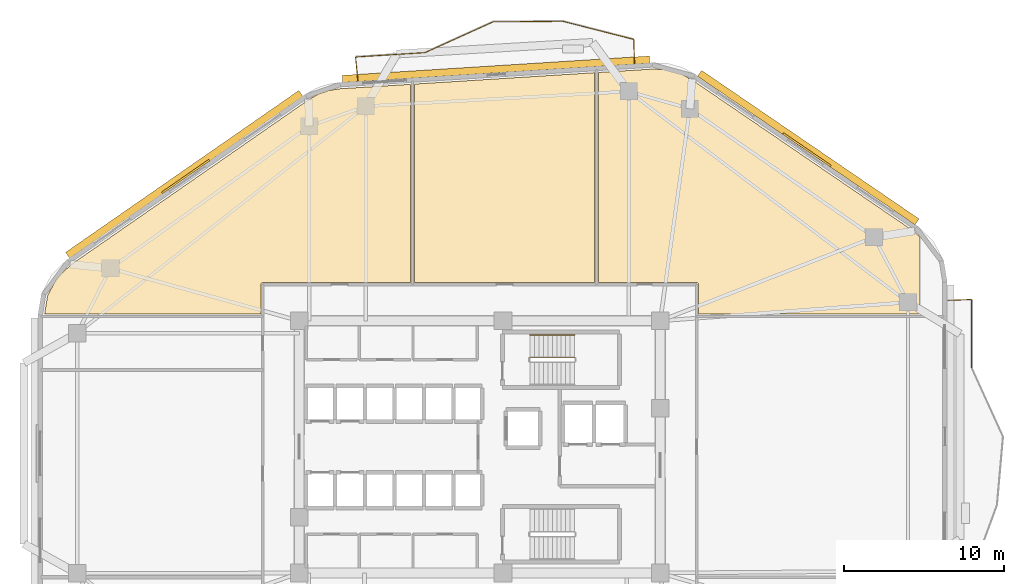
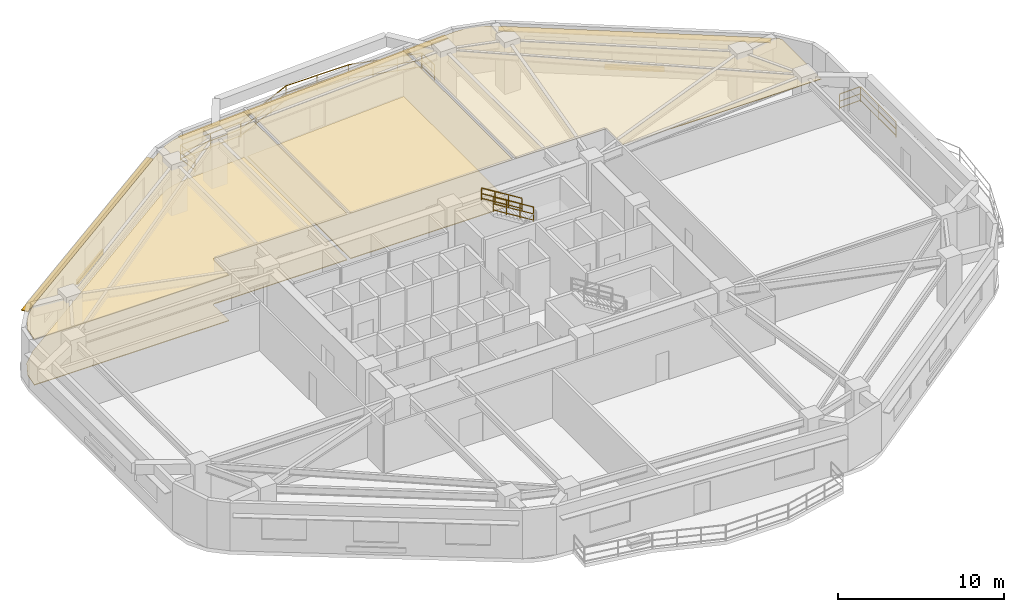
# One storey, part 9 of 9: 10 railings, 5 coverings, 5 shading devices.
"""IFC4 building model written with IfcOpenShell, lengths in metres."""

from ifc_helpers import new_model, si_unit, direction, frame, origin, origin_2d, place, context, subcontext, project, spatial, polyline, rectangle, outline, extrude, material, layer, layer_set, type_object, element, save


model = new_model("IFC4")

# Units and contexts
model_context = context("Model", 3, precision=1e-05, world=origin(), true_north=direction((0.0, 1.0)))
body_context = subcontext(model_context, "Body", "Model", "MODEL_VIEW")
ifc_project = project(units=[si_unit("LENGTHUNIT", "METRE"), si_unit("AREAUNIT", "SQUARE_METRE"), si_unit("VOLUMEUNIT", "CUBIC_METRE"), si_unit("PLANEANGLEUNIT", "RADIAN"), si_unit("MASSUNIT", "GRAM", prefix="KILO")], contexts=[model_context])

# Site, building, storey
site_placement = place(None, origin())
site = spatial("IfcSite", under=ifc_project, at=site_placement, CompositionType="ELEMENT")
building_placement = place(site_placement, origin())
building = spatial("IfcBuilding", under=site, at=building_placement, Name="Zulverin Broadcast Headquarters", CompositionType="ELEMENT")
storey_placement = place(building_placement, frame((0.0, 0.0, 112.39990234375)))
storey = spatial("IfcBuildingStorey", under=building, at=storey_placement, Name="L28", CompositionType="ELEMENT", Elevation=112.39990234375)

# Coverings
ifc_material_1 = material(Name="Perforated pale-metal acoustic baffle ceiling", Category="aluminium")
ifc_layer_1 = layer(ifc_material_1, 0.0400390625, Name="Perforated pale-metal acoustic baffle ceiling", Category="aluminium")
ifc_layer_set_1 = layer_set([ifc_layer_1], Name="Perforated pale-metal acoustic baffle ceiling")
covering_type_1 = type_object("IfcCoveringType", Name="COV-CEIL-ACOU", PredefinedType="CEILING", material=ifc_layer_set_1)
covering_1_placement = place(storey_placement, frame((0.0, 0.0, 3.34521484375)))
element("IfcCovering", 1, at=covering_1_placement, inside=storey, type_object=covering_type_1, Name="L28 Acoustic Baffle Ceiling 01", PredefinedType="CEILING", context=body_context, shape_type="SweptSolid", body=[
    extrude(outline(polyline([(11.4599609375, 36.583984375), (10.56005859375, 35.719970703125), (10.0, 34.639892578125), (9.81591796875, 33.5), (23.33203125, 33.5), (23.33203125, 35.35205078125), (23.33203125, 35.364013671875), (23.3359375, 35.3759765625), (23.3359375, 35.387939453125), (23.340087890625, 35.39599609375), (23.347900390625, 35.407958984375), (23.35205078125, 35.419921875), (23.360107421875, 35.427978515625), (23.367919921875, 35.43603515625), (23.3759765625, 35.444091796875), (23.384033203125, 35.451904296875), (23.39599609375, 35.4560546875), (23.407958984375, 35.464111328125), (23.416015625, 35.468017578125), (23.427978515625, 35.468017578125), (23.43994140625, 35.471923828125), (23.451904296875, 35.471923828125), (32.679931640625, 35.471923828125), (32.679931640625, 47.85205078125), (28.27587890625, 47.575927734375), (27.575927734375, 47.468017578125), (26.927978515625, 47.243896484375), (26.31591796875, 46.89599609375), (11.4599609375, 36.583984375)])), origin(), (0.0, 0.0, 1.0), 0.039794921875),
])
covering_2_placement = place(storey_placement, frame((0.0, 0.0, 3.34521484375)))
element("IfcCovering", 2, at=covering_2_placement, inside=storey, type_object=covering_type_1, Name="L28 Acoustic Baffle Ceiling 02", PredefinedType="CEILING", context=body_context, shape_type="SweptSolid", body=[
    extrude(outline(polyline([(44.179931640625, 35.471923828125), (44.179931640625, 48.580078125), (32.919921875, 47.867919921875), (32.919921875, 35.471923828125), (44.179931640625, 35.471923828125)])), origin(), (0.0, 0.0, 1.0), 0.039794921875),
])
covering_3_placement = place(storey_placement, frame((0.0, 0.0, 3.34521484375)))
element("IfcCovering", 3, at=covering_3_placement, inside=storey, type_object=covering_type_1, Name="L28 Acoustic Baffle Ceiling 03", PredefinedType="CEILING", context=body_context, shape_type="SweptSolid", body=[
    extrude(outline(polyline([(64.5, 38.303955078125), (64.115966796875, 38.672119140625), (50.248046875, 48.139892578125), (49.491943359375, 48.548095703125), (48.68408203125, 48.76806640625), (47.823974609375, 48.80810546875), (44.419921875, 48.595947265625), (44.419921875, 35.471923828125), (50.552001953125, 35.471923828125), (50.56396484375, 35.471923828125), (50.575927734375, 35.468017578125), (50.587890625, 35.468017578125), (50.595947265625, 35.464111328125), (50.60791015625, 35.4560546875), (50.6201171875, 35.451904296875), (50.6279296875, 35.444091796875), (50.635986328125, 35.43603515625), (50.64404296875, 35.427978515625), (50.652099609375, 35.419921875), (50.656005859375, 35.407958984375), (50.6640625, 35.39599609375), (50.66796875, 35.387939453125), (50.66796875, 35.3759765625), (50.672119140625, 35.364013671875), (50.672119140625, 35.35205078125), (50.672119140625, 33.5), (64.5, 33.5), (64.5, 38.303955078125)])), origin(), (0.0, 0.0, 1.0), 0.039794921875),
])
ifc_material_2 = material(Name="Anti-static broadcast raised access flooring", Category="stone")
ifc_layer_2 = layer(ifc_material_2, 0.050048828125, Name="Anti-static broadcast raised access flooring", Category="stone")
ifc_layer_set_2 = layer_set([ifc_layer_2], Name="Anti-static broadcast raised access flooring")
covering_type_2 = type_object("IfcCoveringType", Name="COV-FLR-RAISED", PredefinedType="FLOORING", material=ifc_layer_set_2)
covering_4_placement = place(storey_placement, origin())
element("IfcCovering", 4, at=covering_4_placement, inside=storey, type_object=covering_type_2, Name="L28 Broadcast Raised Access Flooring 01", PredefinedType="FLOORING", context=body_context, shape_type="SweptSolid", body=[
    extrude(outline(polyline([(11.4599609375, 36.583984375), (10.56005859375, 35.719970703125), (10.0, 34.639892578125), (9.81591796875, 33.5), (23.33203125, 33.5), (23.33203125, 35.35205078125), (23.33203125, 35.364013671875), (23.3359375, 35.3759765625), (23.3359375, 35.387939453125), (23.340087890625, 35.39599609375), (23.347900390625, 35.407958984375), (23.35205078125, 35.419921875), (23.360107421875, 35.427978515625), (23.367919921875, 35.43603515625), (23.3759765625, 35.444091796875), (23.384033203125, 35.451904296875), (23.39599609375, 35.4560546875), (23.407958984375, 35.464111328125), (23.416015625, 35.468017578125), (23.427978515625, 35.468017578125), (23.43994140625, 35.471923828125), (23.451904296875, 35.471923828125), (32.679931640625, 35.471923828125), (32.679931640625, 47.85205078125), (28.27587890625, 47.575927734375), (27.575927734375, 47.468017578125), (26.927978515625, 47.243896484375), (26.31591796875, 46.89599609375), (11.4599609375, 36.583984375)])), origin(), (0.0, 0.0, 1.0), 0.050048828125),
])
covering_5_placement = place(storey_placement, origin())
element("IfcCovering", 5, at=covering_5_placement, inside=storey, type_object=covering_type_2, Name="L28 Broadcast Raised Access Flooring 02", PredefinedType="FLOORING", context=body_context, shape_type="SweptSolid", body=[
    extrude(outline(polyline([(44.179931640625, 35.471923828125), (44.179931640625, 48.580078125), (32.919921875, 47.867919921875), (32.919921875, 35.471923828125), (44.179931640625, 35.471923828125)])), origin(), (0.0, 0.0, 1.0), 0.050048828125),
])

# Railings
ifc_material_3 = material(Name="Brushed stainless steel & laminated glass balustrade", Category="steel")
railing_type_1 = type_object("IfcRailingType", Name="RL-GUARD-1150", PredefinedType="GUARDRAIL", material=ifc_material_3)
railing_1_placement = place(storey_placement, frame((67.719970703125, 30.146728515625, 0.0)))
element("IfcRailing", 6, at=railing_1_placement, inside=storey, type_object=railing_type_1, Name="L28 Vertical-Forest Balcony Guardrail BAL_E Segment 05", PredefinedType="GUARDRAIL", context=body_context, shape_type="SweptSolid", body=[
    extrude(rectangle(XDim=0.048095703125, YDim=0.048095703125, at=origin_2d()), frame((0.0, 0.0, 1.1259765625), z_axis=(0.0, 1.0, 0.0), x_axis=(-1.0, 0.0, 0.0)), (0.0, 0.0, 1.0), 4.252685546875),
    extrude(rectangle(XDim=0.0419921875, YDim=0.0419921875, at=origin_2d()), frame((0.0, 0.0, 0.597900390625), z_axis=(0.0, 1.0, 0.0), x_axis=(-1.0, 0.0, 0.0)), (0.0, 0.0, 1.0), 4.252685546875),
    extrude(rectangle(XDim=0.0419921875, YDim=0.0419921875, at=origin_2d()), frame((0.0, 0.0, 0.1201171875), z_axis=(0.0, 1.0, 0.0), x_axis=(-1.0, 0.0, 0.0)), (0.0, 0.0, 1.0), 4.252685546875),
    extrude(rectangle(XDim=0.0419921875, YDim=0.0419921875, at=origin_2d()), origin(), (0.0, 0.0, 1.0), 1.101806640625),
    extrude(rectangle(XDim=0.0419921875, YDim=0.0419921875, at=origin_2d()), frame((0.0, 2.12646484375, 0.0)), (0.0, 0.0, 1.0), 1.101806640625),
    extrude(rectangle(XDim=0.0419921875, YDim=0.0419921875, at=origin_2d()), frame((0.0, 4.252685546875, 0.0)), (0.0, 0.0, 1.0), 1.101806640625),
])
railing_2_placement = place(storey_placement, frame((67.705078125, 34.413818359375, 0.0)))
element("IfcRailing", 7, at=railing_2_placement, inside=storey, type_object=railing_type_1, Name="L28 Vertical-Forest Balcony Guardrail BAL_E Segment 06", PredefinedType="GUARDRAIL", context=body_context, shape_type="SweptSolid", body=[
    extrude(rectangle(XDim=0.048095703125, YDim=0.048095703125, at=origin_2d()), frame((0.0, 0.0, 1.1259765625), z_axis=(-0.999181155166, -0.040460093435, 0.0), x_axis=(0.040460093435, -0.999181155166, 0.0)), (0.0, 0.0, 1.0), 1.46630859375),
    extrude(rectangle(XDim=0.0419921875, YDim=0.0419921875, at=origin_2d()), frame((0.0, 0.0, 0.597900390625), z_axis=(-0.999181155166, -0.040460093435, 0.0), x_axis=(0.040460093435, -0.999181155166, 0.0)), (0.0, 0.0, 1.0), 1.46630859375),
    extrude(rectangle(XDim=0.0419921875, YDim=0.0419921875, at=origin_2d()), frame((0.0, 0.0, 0.1201171875), z_axis=(-0.999181155166, -0.040460093435, 0.0), x_axis=(0.040460093435, -0.999181155166, 0.0)), (0.0, 0.0, 1.0), 1.46630859375),
    extrude(rectangle(XDim=0.0419921875, YDim=0.0419921875, at=origin_2d()), origin(), (0.0, 0.0, 1.0), 1.101806640625),
    extrude(rectangle(XDim=0.0419921875, YDim=0.0419921875, at=origin_2d()), frame((-1.465087890625, -0.059326171875, 0.0)), (0.0, 0.0, 1.0), 1.101806640625),
])
railing_3_placement = place(storey_placement, frame((46.662841796875, 49.176025390625, 0.0)))
element("IfcRailing", 8, at=railing_3_placement, inside=storey, type_object=railing_type_1, Name="L28 Vertical-Forest Balcony Guardrail BAL_N Segment 01", PredefinedType="GUARDRAIL", context=body_context, shape_type="SweptSolid", body=[
    extrude(rectangle(XDim=0.048095703125, YDim=0.048095703125, at=origin_2d()), frame((0.0, 0.0, 1.1259765625), z_axis=(-0.022479328211, 0.999747307975, 0.0), x_axis=(-0.999747307975, -0.022479328211, 0.0)), (0.0, 0.0, 1.0), 1.46630859375),
    extrude(rectangle(XDim=0.0419921875, YDim=0.0419921875, at=origin_2d()), frame((0.0, 0.0, 0.597900390625), z_axis=(-0.022479328211, 0.999747307975, 0.0), x_axis=(-0.999747307975, -0.022479328211, 0.0)), (0.0, 0.0, 1.0), 1.46630859375),
    extrude(rectangle(XDim=0.0419921875, YDim=0.0419921875, at=origin_2d()), frame((0.0, 0.0, 0.1201171875), z_axis=(-0.022479328211, 0.999747307975, 0.0), x_axis=(-0.999747307975, -0.022479328211, 0.0)), (0.0, 0.0, 1.0), 1.46630859375),
    extrude(rectangle(XDim=0.0419921875, YDim=0.0419921875, at=origin_2d()), origin(), (0.0, 0.0, 1.0), 1.101806640625),
    extrude(rectangle(XDim=0.0419921875, YDim=0.0419921875, at=origin_2d()), frame((-0.032958984375, 1.4658203125, 0.0)), (0.0, 0.0, 1.0), 1.101806640625),
])
railing_4_placement = place(storey_placement, frame((46.614990234375, 50.66064453125, 0.0)))
element("IfcRailing", 9, at=railing_4_placement, inside=storey, type_object=railing_type_1, Name="L28 Vertical-Forest Balcony Guardrail BAL_N Segment 02", PredefinedType="GUARDRAIL", context=body_context, shape_type="SweptSolid", body=[
    extrude(rectangle(XDim=0.048095703125, YDim=0.048095703125, at=origin_2d()), frame((0.0, 0.0, 1.1259765625), z_axis=(-0.968834750969, 0.247707943583, 0.0), x_axis=(-0.247707943583, -0.968834750969, 0.0)), (0.0, 0.0, 1.0), 4.550537109375),
    extrude(rectangle(XDim=0.0419921875, YDim=0.0419921875, at=origin_2d()), frame((0.0, 0.0, 0.597900390625), z_axis=(-0.968834750969, 0.247707943583, 0.0), x_axis=(-0.247707943583, -0.968834750969, 0.0)), (0.0, 0.0, 1.0), 4.550537109375),
    extrude(rectangle(XDim=0.0419921875, YDim=0.0419921875, at=origin_2d()), frame((0.0, 0.0, 0.1201171875), z_axis=(-0.968834750969, 0.247707943583, 0.0), x_axis=(-0.247707943583, -0.968834750969, 0.0)), (0.0, 0.0, 1.0), 4.550537109375),
    extrude(rectangle(XDim=0.0419921875, YDim=0.0419921875, at=origin_2d()), origin(), (0.0, 0.0, 1.0), 1.101806640625),
    extrude(rectangle(XDim=0.0419921875, YDim=0.0419921875, at=origin_2d()), frame((-1.469482421875, 0.375732421875, 0.0)), (0.0, 0.0, 1.0), 1.101806640625),
    extrude(rectangle(XDim=0.0419921875, YDim=0.0419921875, at=origin_2d()), frame((-2.939208984375, 0.75146484375, 0.0)), (0.0, 0.0, 1.0), 1.101806640625),
    extrude(rectangle(XDim=0.0419921875, YDim=0.0419921875, at=origin_2d()), frame((-4.40869140625, 1.127197265625, 0.0)), (0.0, 0.0, 1.0), 1.101806640625),
])
railing_5_placement = place(storey_placement, frame((42.177001953125, 51.79150390625, 0.0)))
element("IfcRailing", 10, at=railing_5_placement, inside=storey, type_object=railing_type_1, Name="L28 Vertical-Forest Balcony Guardrail BAL_N Segment 03", PredefinedType="GUARDRAIL", context=body_context, shape_type="SweptSolid", body=[
    extrude(rectangle(XDim=0.048095703125, YDim=0.048095703125, at=origin_2d()), frame((0.0, 0.0, 1.1259765625), z_axis=(-0.999965244372, -0.00833726867, 0.0), x_axis=(0.00833726867, -0.999965244372, 0.0)), (0.0, 0.0, 1.0), 4.333984375),
    extrude(rectangle(XDim=0.0419921875, YDim=0.0419921875, at=origin_2d()), frame((0.0, 0.0, 0.597900390625), z_axis=(-0.999965244372, -0.00833726867, 0.0), x_axis=(0.00833726867, -0.999965244372, 0.0)), (0.0, 0.0, 1.0), 4.333984375),
    extrude(rectangle(XDim=0.0419921875, YDim=0.0419921875, at=origin_2d()), frame((0.0, 0.0, 0.1201171875), z_axis=(-0.999965244372, -0.00833726867, 0.0), x_axis=(0.00833726867, -0.999965244372, 0.0)), (0.0, 0.0, 1.0), 4.333984375),
    extrude(rectangle(XDim=0.0419921875, YDim=0.0419921875, at=origin_2d()), origin(), (0.0, 0.0, 1.0), 1.101806640625),
    extrude(rectangle(XDim=0.0419921875, YDim=0.0419921875, at=origin_2d()), frame((-2.1669921875, -0.01806640625, 0.0)), (0.0, 0.0, 1.0), 1.101806640625),
    extrude(rectangle(XDim=0.0419921875, YDim=0.0419921875, at=origin_2d()), frame((-4.333740234375, -0.0361328125, 0.0)), (0.0, 0.0, 1.0), 1.101806640625),
])
railing_6_placement = place(storey_placement, frame((37.814453125, 51.7490234375, 0.0)))
element("IfcRailing", 11, at=railing_6_placement, inside=storey, type_object=railing_type_1, Name="L28 Vertical-Forest Balcony Guardrail BAL_N Segment 04", PredefinedType="GUARDRAIL", context=body_context, shape_type="SweptSolid", body=[
    extrude(rectangle(XDim=0.048095703125, YDim=0.048095703125, at=origin_2d()), frame((0.0, 0.0, 1.1259765625), z_axis=(-0.911046141087, -0.412304412794, 0.0), x_axis=(0.412304412794, -0.911046141087, 0.0)), (0.0, 0.0, 1.0), 4.62939453125),
    extrude(rectangle(XDim=0.0419921875, YDim=0.0419921875, at=origin_2d()), frame((0.0, 0.0, 0.597900390625), z_axis=(-0.911046141087, -0.412304412794, 0.0), x_axis=(0.412304412794, -0.911046141087, 0.0)), (0.0, 0.0, 1.0), 4.62939453125),
    extrude(rectangle(XDim=0.0419921875, YDim=0.0419921875, at=origin_2d()), frame((0.0, 0.0, 0.1201171875), z_axis=(-0.911046141087, -0.412304412794, 0.0), x_axis=(0.412304412794, -0.911046141087, 0.0)), (0.0, 0.0, 1.0), 4.62939453125),
    extrude(rectangle(XDim=0.0419921875, YDim=0.0419921875, at=origin_2d()), origin(), (0.0, 0.0, 1.0), 1.101806640625),
    extrude(rectangle(XDim=0.0419921875, YDim=0.0419921875, at=origin_2d()), frame((-1.40576171875, -0.63623046875, 0.0)), (0.0, 0.0, 1.0), 1.101806640625),
    extrude(rectangle(XDim=0.0419921875, YDim=0.0419921875, at=origin_2d()), frame((-2.811767578125, -1.2724609375, 0.0)), (0.0, 0.0, 1.0), 1.101806640625),
    extrude(rectangle(XDim=0.0419921875, YDim=0.0419921875, at=origin_2d()), frame((-4.217529296875, -1.90869140625, 0.0)), (0.0, 0.0, 1.0), 1.101806640625),
])
railing_7_placement = place(storey_placement, frame((33.568359375, 49.833251953125, 0.0)))
element("IfcRailing", 12, at=railing_7_placement, inside=storey, type_object=railing_type_1, Name="L28 Vertical-Forest Balcony Guardrail BAL_N Segment 05", PredefinedType="GUARDRAIL", context=body_context, shape_type="SweptSolid", body=[
    extrude(rectangle(XDim=0.048095703125, YDim=0.048095703125, at=origin_2d()), frame((0.0, 0.0, 1.1259765625), z_axis=(-0.998015967654, -0.062961323906, 0.0), x_axis=(0.062961323906, -0.998015967654, 0.0)), (0.0, 0.0, 1.0), 4.327392578125),
    extrude(rectangle(XDim=0.0419921875, YDim=0.0419921875, at=origin_2d()), frame((0.0, 0.0, 0.597900390625), z_axis=(-0.998015967654, -0.062961323906, 0.0), x_axis=(0.062961323906, -0.998015967654, 0.0)), (0.0, 0.0, 1.0), 4.327392578125),
    extrude(rectangle(XDim=0.0419921875, YDim=0.0419921875, at=origin_2d()), frame((0.0, 0.0, 0.1201171875), z_axis=(-0.998015967654, -0.062961323906, 0.0), x_axis=(0.062961323906, -0.998015967654, 0.0)), (0.0, 0.0, 1.0), 4.327392578125),
    extrude(rectangle(XDim=0.0419921875, YDim=0.0419921875, at=origin_2d()), origin(), (0.0, 0.0, 1.0), 1.101806640625),
    extrude(rectangle(XDim=0.0419921875, YDim=0.0419921875, at=origin_2d()), frame((-2.159423828125, -0.13623046875, 0.0)), (0.0, 0.0, 1.0), 1.101806640625),
    extrude(rectangle(XDim=0.0419921875, YDim=0.0419921875, at=origin_2d()), frame((-4.31884765625, -0.2724609375, 0.0)), (0.0, 0.0, 1.0), 1.101806640625),
])
railing_8_placement = place(storey_placement, frame((29.236083984375, 49.545166015625, 0.0)))
element("IfcRailing", 13, at=railing_8_placement, inside=storey, type_object=railing_type_1, Name="L28 Vertical-Forest Balcony Guardrail BAL_N Segment 06", PredefinedType="GUARDRAIL", context=body_context, shape_type="SweptSolid", body=[
    extrude(rectangle(XDim=0.048095703125, YDim=0.048095703125, at=origin_2d()), frame((0.0, 0.0, 1.1259765625), z_axis=(0.103393334431, -0.994640547331, 0.0), x_axis=(0.994640547331, 0.103393334431, 0.0)), (0.0, 0.0, 1.0), 1.46630859375),
    extrude(rectangle(XDim=0.0419921875, YDim=0.0419921875, at=origin_2d()), frame((0.0, 0.0, 0.597900390625), z_axis=(0.103393334431, -0.994640547331, 0.0), x_axis=(0.994640547331, 0.103393334431, 0.0)), (0.0, 0.0, 1.0), 1.46630859375),
    extrude(rectangle(XDim=0.0419921875, YDim=0.0419921875, at=origin_2d()), frame((0.0, 0.0, 0.1201171875), z_axis=(0.103393334431, -0.994640547331, 0.0), x_axis=(0.994640547331, 0.103393334431, 0.0)), (0.0, 0.0, 1.0), 1.46630859375),
    extrude(rectangle(XDim=0.0419921875, YDim=0.0419921875, at=origin_2d()), origin(), (0.0, 0.0, 1.0), 1.101806640625),
    extrude(rectangle(XDim=0.0419921875, YDim=0.0419921875, at=origin_2d()), frame((0.151611328125, -1.45849609375, 0.0)), (0.0, 0.0, 1.0), 1.101806640625),
])
ifc_material_4 = material(Name="Painted galvanized steel tubular guardrail S355JR", Category="steel")
railing_type_2 = type_object("IfcRailingType", Name="RL-ST-GUARD", PredefinedType="GUARDRAIL", material=ifc_material_4)
railing_9_placement = place(storey_placement, frame((42.929931640625, 30.800048828125, 2.07275390625)))
element("IfcRailing", 14, at=railing_9_placement, inside=storey, type_object=railing_type_2, Name="L28 ST-1 stair guard 3", PredefinedType="GUARDRAIL", context=body_context, shape_type="SweptSolid", body=[
    extrude(rectangle(XDim=0.048095703125, YDim=0.048095703125, at=origin_2d()), frame((0.0, 0.0, 1.076171875), z_axis=(-0.851089632645, 0.0, 0.525020415988), x_axis=(0.0, -1.0, 0.0)), (0.0, 0.0, 1.0), 3.2900390625),
    extrude(rectangle(XDim=0.0419921875, YDim=0.0419921875, at=origin_2d()), frame((0.0, 0.0, 0.572021484375), z_axis=(-0.851089632645, 0.0, 0.525020415988), x_axis=(0.0, -1.0, 0.0)), (0.0, 0.0, 1.0), 3.2900390625),
    extrude(rectangle(XDim=0.0419921875, YDim=0.0419921875, at=origin_2d()), frame((0.0, 0.0, 0.1201171875), z_axis=(-0.851089632645, 0.0, 0.525020415988), x_axis=(0.0, -1.0, 0.0)), (0.0, 0.0, 1.0), 3.2900390625),
    extrude(rectangle(XDim=0.0419921875, YDim=0.0419921875, at=origin_2d()), origin(), (0.0, 0.0, 1.0), 1.052001953125),
    extrude(rectangle(XDim=0.0419921875, YDim=0.0419921875, at=origin_2d()), frame((-0.933349609375, 0.0, 0.57568359375)), (0.0, 0.0, 1.0), 1.052001953125),
    extrude(rectangle(XDim=0.0419921875, YDim=0.0419921875, at=origin_2d()), frame((-1.86669921875, 0.0, 1.151611328125)), (0.0, 0.0, 1.0), 1.052001953125),
    extrude(rectangle(XDim=0.0419921875, YDim=0.0419921875, at=origin_2d()), frame((-2.800048828125, 0.0, 1.727294921875)), (0.0, 0.0, 1.0), 1.052001953125),
])
ifc_material_5 = material(Name="Brushed stainless steel 48 mm handrail", Category="steel")
railing_type_3 = type_object("IfcRailingType", Name="RL-ST-HAND", PredefinedType="HANDRAIL", material=ifc_material_5)
railing_10_placement = place(storey_placement, frame((42.929931640625, 32.199951171875, 2.07275390625)))
element("IfcRailing", 15, at=railing_10_placement, inside=storey, type_object=railing_type_3, Name="L28 ST-1 stair handrail 2", PredefinedType="HANDRAIL", context=body_context, shape_type="SweptSolid", body=[
    extrude(rectangle(XDim=0.048095703125, YDim=0.048095703125, at=origin_2d()), frame((0.0, 0.0, 0.8759765625), z_axis=(-0.851089632645, 0.0, 0.525020415988), x_axis=(0.0, -1.0, 0.0)), (0.0, 0.0, 1.0), 3.2900390625),
    extrude(rectangle(XDim=0.0419921875, YDim=0.0419921875, at=origin_2d()), frame((0.0, 0.0, 0.468017578125), z_axis=(-0.851089632645, 0.0, 0.525020415988), x_axis=(0.0, -1.0, 0.0)), (0.0, 0.0, 1.0), 3.2900390625),
    extrude(rectangle(XDim=0.0419921875, YDim=0.0419921875, at=origin_2d()), frame((0.0, 0.0, 0.1201171875), z_axis=(-0.851089632645, 0.0, 0.525020415988), x_axis=(0.0, -1.0, 0.0)), (0.0, 0.0, 1.0), 3.2900390625),
    extrude(rectangle(XDim=0.0419921875, YDim=0.0419921875, at=origin_2d()), origin(), (0.0, 0.0, 1.0), 0.851806640625),
    extrude(rectangle(XDim=0.0419921875, YDim=0.0419921875, at=origin_2d()), frame((-0.933349609375, 0.0, 0.57568359375)), (0.0, 0.0, 1.0), 0.851806640625),
    extrude(rectangle(XDim=0.0419921875, YDim=0.0419921875, at=origin_2d()), frame((-1.86669921875, 0.0, 1.151611328125)), (0.0, 0.0, 1.0), 0.851806640625),
    extrude(rectangle(XDim=0.0419921875, YDim=0.0419921875, at=origin_2d()), frame((-2.800048828125, 0.0, 1.727294921875)), (0.0, 0.0, 1.0), 0.851806640625),
])

# Shading devices
ifc_material_6 = material(Name="Anodized pale-metal aluminium acoustic louvre", Category="aluminium")
shading_device_type_1 = type_object("IfcShadingDeviceType", Name="SHD-LOUVRE-350", PredefinedType="USERDEFINED", material=ifc_material_6)
for number, where, z_axis, x_axis, name in (
    (16, (57.435302734375, 43.76708984375, 0.2451171875), (0.0, 0.0, 1.0), (-0.825756855157, 0.564026254851, 0.0), "L28 Spandrel Intake Louvre 4"),
    (17, (18.631103515625, 42.0966796875, 0.2451171875), (0.0, 0.0, 1.0), (-0.821556397865, -0.57012725345, 0.0), "L28 Spandrel Intake Louvre 6"),
):
    element("IfcShadingDevice", number, at=place(storey_placement, frame(where, z_axis=z_axis, x_axis=x_axis)), inside=storey, type_object=shading_device_type_1, Name=name, ObjectType="LOUVRE", PredefinedType="USERDEFINED", context=body_context, shape_type="SweptSolid", body=[
        extrude(rectangle(XDim=3.60009765625, YDim=0.1201171875, at=origin_2d()), origin(), (0.0, 0.0, 1.0), 0.35009765625),
    ])
ifc_material_7 = material(Name="Anodized pale-metal aluminium sunshade", Category="aluminium")
ifc_layer_3 = layer(ifc_material_7, 0.06005859375, Name="Anodized pale-metal aluminium sunshade", Category="aluminium")
ifc_layer_set_3 = layer_set([ifc_layer_3], Name="Anodized pale-metal aluminium sunshade")
shading_device_type_2 = type_object("IfcShadingDeviceType", Name="SS-01_PALE_METAL_ALUMINIUM_SUNSHADE", PredefinedType="USERDEFINED", material=ifc_layer_set_3)
shading_device_1_placement = place(storey_placement, frame((57.525390625, 43.8994140625, 2.7099609375), z_axis=(0.0, 0.0, 1.0), x_axis=(-0.825756855157, 0.564026254851, 0.0)))
element("IfcShadingDevice", 18, at=shading_device_1_placement, inside=storey, type_object=shading_device_type_2, Name="L28 Horizontal Pale-Metal Sunshade Band 4", ObjectType="SUNSHADE", PredefinedType="USERDEFINED", context=body_context, shape_type="SweptSolid", body=[
    extrude(rectangle(XDim=16.4482421875, YDim=0.449951171875, at=origin_2d()), origin(), (0.0, 0.0, 1.0), 0.06005859375),
])
shading_device_2_placement = place(storey_placement, frame((38.01513671875, 48.791015625, 2.7099609375), z_axis=(0.0, 0.0, 1.0), x_axis=(-0.998017621976, -0.062935095345, 0.0)))
element("IfcShadingDevice", 19, at=shading_device_2_placement, inside=storey, type_object=shading_device_type_2, Name="L28 Horizontal Pale-Metal Sunshade Band 5", ObjectType="SUNSHADE", PredefinedType="USERDEFINED", context=body_context, shape_type="SweptSolid", body=[
    extrude(rectangle(XDim=19.2294921875, YDim=0.449951171875, at=origin_2d()), origin(), (0.0, 0.0, 1.0), 0.06005859375),
])
shading_device_3_placement = place(storey_placement, frame((18.539794921875, 42.22802734375, 2.7099609375), z_axis=(0.0, 0.0, 1.0), x_axis=(-0.821556397865, -0.57012725345, 0.0)))
element("IfcShadingDevice", 20, at=shading_device_3_placement, inside=storey, type_object=shading_device_type_2, Name="L28 Horizontal Pale-Metal Sunshade Band 6", ObjectType="SUNSHADE", PredefinedType="USERDEFINED", context=body_context, shape_type="SweptSolid", body=[
    extrude(rectangle(XDim=17.732421875, YDim=0.449951171875, at=origin_2d()), origin(), (0.0, 0.0, 1.0), 0.06005859375),
])

save(model, "model.ifc")
